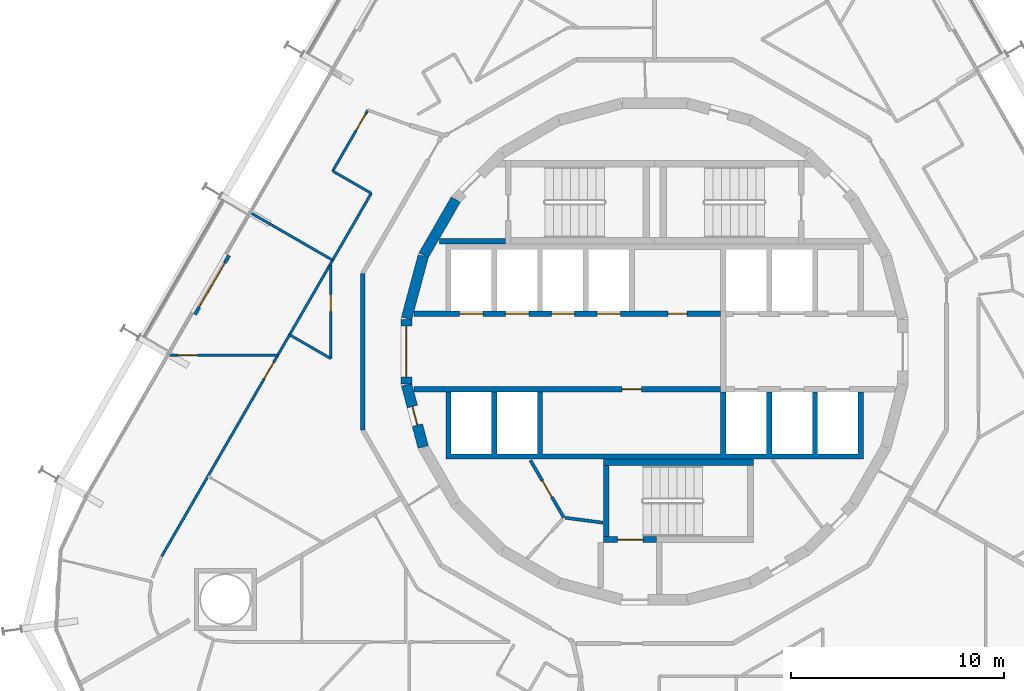
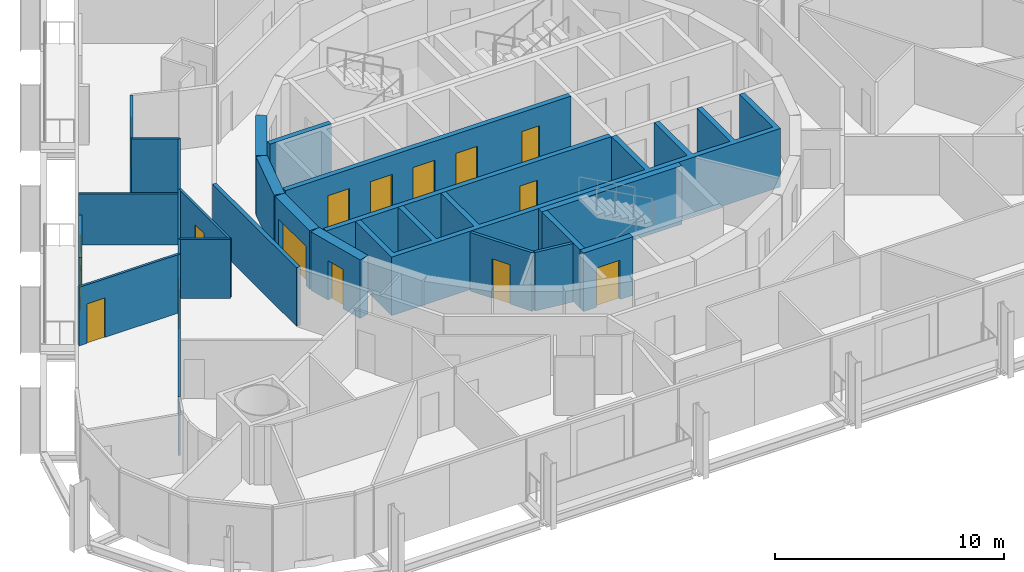
# One storey, part 14 of 20: 23 walls, 15 doors, 15 openings.
"""IFC4 building model written with IfcOpenShell, lengths in metres."""

from ifc_helpers import new_model, si_unit, direction, frame, frame_2d, origin, place, context, subcontext, project, spatial, polyline, rectangle, outline, extrude, material, layer, layer_set, type_object, element, fill, save


model = new_model("IFC4")

# Units and contexts
model_context = context("Model", 3, precision=1e-05, world=origin(), true_north=direction((0.0, 1.0)))
body_context = subcontext(model_context, "Body", "Model", "MODEL_VIEW")
ifc_project = project(units=[si_unit("LENGTHUNIT", "METRE"), si_unit("AREAUNIT", "SQUARE_METRE"), si_unit("VOLUMEUNIT", "CUBIC_METRE"), si_unit("PLANEANGLEUNIT", "RADIAN"), si_unit("MASSUNIT", "GRAM", prefix="KILO")], contexts=[model_context])

# Site, building, storey
site_placement = place(None, origin())
site = spatial("IfcSite", under=ifc_project, at=site_placement, CompositionType="ELEMENT")
building_placement = place(site_placement, origin())
building = spatial("IfcBuilding", under=site, at=building_placement, Name="Spindle Arch Residences", CompositionType="ELEMENT")
storey_placement = place(building_placement, frame((0.0, 0.0, 59.39990234375)))
storey = spatial("IfcBuildingStorey", under=building, at=storey_placement, Name="L13", CompositionType="ELEMENT", Elevation=59.39990234375)

# Walls
ifc_material_1 = material(Name="Concrete C50/60", Category="concrete")
ifc_layer_1 = layer(ifc_material_1, 0.5)
ifc_layer_set_1 = layer_set([ifc_layer_1], Name="Core outline wall 500")
wall_type_1 = type_object("IfcWallType", Name="Core outline wall 500", PredefinedType="SHEAR", material=ifc_layer_set_1)
for number, where, z_axis, x_axis, name in (
    (1, (-9.32861328125, 7.13671875, 0.0), (0.0, 0.0, 1.0), (-0.500087131594, -0.865975092491, 0.0), "Core outline wall 16"),
    (2, (-10.858154296875, 4.479248046875, 0.0), (0.0, 0.0, 1.0), (-0.258734743916, -0.965948410781, 0.0), "Core outline wall 17"),
):
    element("IfcWall", number, at=place(storey_placement, frame(where, z_axis=z_axis, x_axis=x_axis)), inside=storey, type_object=wall_type_1, Name=name, PredefinedType="SHEAR", context=body_context, shape_type="SweptSolid", body=[
        extrude(rectangle(XDim=3.03271484375, YDim=0.5, at=frame_2d((1.516357421875, 0.0))), origin(), (0.0, 0.0, 1.0), 3.1201171875),
    ])

# Wall, opening, door
wall_1_placement = place(storey_placement, frame((-11.647216796875, 1.516357421875, 0.0), z_axis=(0.0, 0.0, 1.0), x_axis=(0.0, -1.0, 0.0)))
wall_1 = element("IfcWall", 3, at=wall_1_placement, inside=storey, type_object=wall_type_1, Name="Core outline wall 18", PredefinedType="SHEAR", context=body_context, shape_type="SweptSolid", body=[
    extrude(rectangle(XDim=3.03271484375, YDim=0.5, at=frame_2d((1.516357421875, 0.0))), origin(), (0.0, 0.0, 1.0), 3.1201171875),
])
opening_1_placement = place(wall_1_placement, frame((0.31640625, 0.0, 0.0)))
opening_1 = element("IfcOpeningElement", 4, at=opening_1_placement, cuts=wall_1, Name="Opening R1C0-LE01", PredefinedType="OPENING", context=body_context, shape_type="SweptSolid", body=[
    extrude(rectangle(XDim=2.39990234375, YDim=2.10009765625, at=frame_2d((1.199951171875, 1.050048828125))), frame((0.0, 0.260009765625, 0.0), z_axis=(0.0, -1.0, 0.0), x_axis=(1.0, 0.0, 0.0)), (0.0, 0.0, 1.0), 0.52001953125),
])
ifc_material_2 = material(Name="Steel, fire-resisting door", Category="steel")
door_type_1 = type_object("IfcDoorType", Name="Lift lobby entrance door 2400x2100", OperationType="DOUBLE_DOOR_SINGLE_SWING", PredefinedType="DOOR", material=ifc_material_2)
door_1_placement = place(opening_1_placement, origin())
door_1 = element("IfcDoor", 5, at=door_1_placement, inside=storey, type_object=door_type_1, Name="Lift lobby entrance door R1C0-LE01", OperationType="DOUBLE_DOOR_SINGLE_SWING", OverallHeight=2.10009765625, OverallWidth=2.39990234375, PredefinedType="DOOR", context=body_context, shape_type="SweptSolid", body=[
    extrude(rectangle(XDim=2.39990234375, YDim=2.10009765625, at=frame_2d((1.199951171875, 1.050048828125))), frame((0.0, 0.02490234375, 0.0), z_axis=(0.0, -1.0, 0.0), x_axis=(1.0, 0.0, 0.0)), (0.0, 0.0, 1.0), 0.050048828125),
])
fill(opening_1, door_1)

wall_2_placement = place(storey_placement, frame((-11.642822265625, -1.5498046875, 0.0), z_axis=(0.0, 0.0, 1.0), x_axis=(0.258734743916, -0.965948410781, 0.0)))
wall_2 = element("IfcWall", 6, at=wall_2_placement, inside=storey, type_object=wall_type_1, Name="Core outline wall 19", PredefinedType="SHEAR", context=body_context, shape_type="SweptSolid", body=[
    extrude(rectangle(XDim=3.03271484375, YDim=0.5, at=frame_2d((1.516357421875, 0.0))), origin(), (0.0, 0.0, 1.0), 3.1201171875),
])
opening_2_placement = place(wall_2_placement, frame((1.06640625, 0.0, 0.0)))
opening_2 = element("IfcOpeningElement", 7, at=opening_2_placement, cuts=wall_2, Name="Opening R1C0-WD08", PredefinedType="OPENING", context=body_context, shape_type="SweptSolid", body=[
    extrude(rectangle(XDim=0.89990234375, YDim=2.10009765625, at=frame_2d((0.449951171875, 1.050048828125))), frame((0.0, 0.260009765625, 0.0), z_axis=(0.0, -1.0, 0.0), x_axis=(1.0, 0.0, 0.0)), (0.0, 0.0, 1.0), 0.52001953125),
])
ifc_material_3 = material(Name="Steel, fire-resisting door", Category="steel")
door_type_2 = type_object("IfcDoorType", Name="Service room door 900x2100", OperationType="SINGLE_SWING_LEFT", PredefinedType="DOOR", material=ifc_material_3)
door_2_placement = place(opening_2_placement, origin())
door_2 = element("IfcDoor", 8, at=door_2_placement, inside=storey, type_object=door_type_2, Name="Service room door R1C0-WD08", OperationType="SINGLE_SWING_LEFT", OverallHeight=2.10009765625, OverallWidth=0.89990234375, PredefinedType="DOOR", context=body_context, shape_type="SweptSolid", body=[
    extrude(rectangle(XDim=0.89990234375, YDim=2.10009765625, at=frame_2d((0.449951171875, 1.050048828125))), frame((0.0, 0.02490234375, 0.0), z_axis=(0.0, -1.0, 0.0), x_axis=(1.0, 0.0, 0.0)), (0.0, 0.0, 1.0), 0.050048828125),
])
fill(opening_2, door_2)

# Wall
ifc_material_4 = material(Name="Calcium silicate block, plastered")
ifc_layer_2 = layer(ifc_material_4, 0.199951171875)
ifc_layer_set_2 = layer_set([ifc_layer_2], Name="Corridor wall 200")
wall_type_2 = type_object("IfcWallType", Name="Corridor wall 200", PredefinedType="STANDARD", material=ifc_layer_set_2)
wall_3_placement = place(storey_placement, frame((-13.699951171875, 3.6708984375, 0.0), z_axis=(0.0, 0.0, 1.0), x_axis=(0.0, -1.0, 0.0)))
element("IfcWall", 9, at=wall_3_placement, inside=storey, type_object=wall_type_2, Name="Corridor wall R1C0-W011", PredefinedType="STANDARD", context=body_context, shape_type="SweptSolid", body=[
    extrude(rectangle(XDim=7.341796875, YDim=0.199951171875, at=frame_2d((3.6708984375, 0.0))), origin(), (0.0, 0.0, 1.0), 3.1201171875),
])

# Wall, opening, door
ifc_material_5 = material(Name="Plasterboard on steel studs", Category="steel")
ifc_layer_3 = layer(ifc_material_5, 0.1201171875)
ifc_layer_set_3 = layer_set([ifc_layer_3], Name="Flat partition 120")
wall_type_3 = type_object("IfcWallType", Name="Flat partition 120", PredefinedType="PARTITIONING", material=ifc_layer_set_3)
wall_4_placement = place(storey_placement, frame((-13.45654296875, 11.33154296875, 0.0), z_axis=(0.0, 0.0, 1.0), x_axis=(-0.499974350878, -0.866040211805, 0.0)))
wall_4 = element("IfcWall", 10, at=wall_4_placement, inside=storey, type_object=wall_type_3, Name="Flat partition R1C0-W064", PredefinedType="PARTITIONING", context=body_context, shape_type="SweptSolid", body=[
    extrude(rectangle(XDim=3.300048828125, YDim=0.1201171875, at=frame_2d((1.64990234375, 0.0))), origin(), (0.0, 0.0, 1.0), 3.1201171875),
])
opening_3_placement = place(wall_4_placement, frame((0.199951171875, 0.0, 0.0)))
opening_3 = element("IfcOpeningElement", 11, at=opening_3_placement, cuts=wall_4, Name="Opening R1C0-ID12", PredefinedType="OPENING", context=body_context, shape_type="SweptSolid", body=[
    extrude(rectangle(XDim=0.89990234375, YDim=2.10009765625, at=frame_2d((0.449951171875, 1.050048828125))), frame((0.0, 0.070068359375, 0.0), z_axis=(0.0, -1.0, 0.0), x_axis=(1.0, 0.0, 0.0)), (0.0, 0.0, 1.0), 0.14013671875),
])
ifc_material_6 = material(Name="Timber door set", Category="wood")
door_type_3 = type_object("IfcDoorType", Name="Room door 900x2100", OperationType="NOTDEFINED", PredefinedType="DOOR", material=ifc_material_6)
door_3_placement = place(opening_3_placement, origin())
door_3 = element("IfcDoor", 12, at=door_3_placement, inside=storey, type_object=door_type_3, Name="Room door R1C0-ID12", OperationType="SINGLE_SWING_LEFT", OverallHeight=2.10009765625, OverallWidth=0.89990234375, PredefinedType="DOOR", context=body_context, shape_type="SweptSolid", body=[
    extrude(rectangle(XDim=0.89990234375, YDim=2.10009765625, at=frame_2d((0.449951171875, 1.050048828125))), frame((0.0, 0.02490234375, 0.0), z_axis=(0.0, -1.0, 0.0), x_axis=(1.0, 0.0, 0.0)), (0.0, 0.0, 1.0), 0.050048828125),
])
fill(opening_3, door_3)

# Walls
wall_5_placement = place(storey_placement, frame((-15.1064453125, 8.4736328125, 0.0), z_axis=(0.0, 0.0, 1.0), x_axis=(0.866041603473, -0.499971940267, 0.0)))
element("IfcWall", 13, at=wall_5_placement, inside=storey, type_object=wall_type_3, Name="Flat partition R1C0-W065", PredefinedType="PARTITIONING", context=body_context, shape_type="SweptSolid", body=[
    extrude(rectangle(XDim=2.08935546875, YDim=0.1201171875, at=frame_2d((1.044677734375, 0.0))), origin(), (0.0, 0.0, 1.0), 3.1201171875),
])
wall_6_placement = place(storey_placement, frame((-13.296875, 7.428955078125, 0.0), z_axis=(0.0, 0.0, 1.0), x_axis=(-0.49999903102, -0.866025963225, 0.0)))
element("IfcWall", 14, at=wall_6_placement, inside=storey, type_object=wall_type_3, Name="Flat partition R1C0-W066", PredefinedType="PARTITIONING", context=body_context, shape_type="SweptSolid", body=[
    extrude(rectangle(XDim=7.66650390625, YDim=0.1201171875, at=frame_2d((3.833251953125, 0.0))), origin(), (0.0, 0.0, 1.0), 3.1201171875),
])

# Wall, opening, door
wall_7_placement = place(storey_placement, frame((-17.130126953125, 0.78955078125, 0.0), z_axis=(0.0, 0.0, 1.0), x_axis=(-0.499997052475, -0.866027105532, 0.0)))
wall_7 = element("IfcWall", 15, at=wall_7_placement, inside=storey, type_object=wall_type_3, Name="Flat partition R1C0-W067", PredefinedType="PARTITIONING", context=body_context, shape_type="SweptSolid", body=[
    extrude(rectangle(XDim=12.005859375, YDim=0.1201171875, at=frame_2d((6.0029296875, 0.0))), origin(), (0.0, 0.0, 1.0), 3.1201171875),
])
opening_4_placement = place(wall_7_placement, frame((1.498291015625, 0.0, 0.0)))
opening_4 = element("IfcOpeningElement", 16, at=opening_4_placement, cuts=wall_7, Name="Opening R1C0-ID13", PredefinedType="OPENING", context=body_context, shape_type="SweptSolid", body=[
    extrude(rectangle(XDim=0.89990234375, YDim=2.10009765625, at=frame_2d((0.449951171875, 1.050048828125))), frame((0.0, 0.070068359375, 0.0), z_axis=(0.0, -1.0, 0.0), x_axis=(1.0, 0.0, 0.0)), (0.0, 0.0, 1.0), 0.14013671875),
])
door_4_placement = place(opening_4_placement, origin())
door_4 = element("IfcDoor", 17, at=door_4_placement, inside=storey, type_object=door_type_3, Name="Room door R1C0-ID13", OperationType="SINGLE_SWING_RIGHT", OverallHeight=2.10009765625, OverallWidth=0.89990234375, PredefinedType="DOOR", context=body_context, shape_type="SweptSolid", body=[
    extrude(rectangle(XDim=0.89990234375, YDim=2.10009765625, at=frame_2d((0.449951171875, 1.050048828125))), frame((0.0, 0.02490234375, 0.0), z_axis=(0.0, -1.0, 0.0), x_axis=(1.0, 0.0, 0.0)), (0.0, 0.0, 1.0), 0.050048828125),
])
fill(opening_4, door_4)

wall_8_placement = place(storey_placement, frame((-15.199951171875, 4.07275390625, 0.0), z_axis=(0.0, 0.0, 1.0), x_axis=(0.0, -1.0, 0.0)))
wall_8 = element("IfcWall", 18, at=wall_8_placement, inside=storey, type_object=wall_type_3, Name="Flat partition R1C0-W068", PredefinedType="PARTITIONING", context=body_context, shape_type="SweptSolid", body=[
    extrude(rectangle(XDim=4.397705078125, YDim=0.1201171875, at=frame_2d((2.19873046875, 0.0))), origin(), (0.0, 0.0, 1.0), 3.1201171875),
])
opening_5_placement = place(wall_8_placement, frame((1.39990234375, 0.0, 0.0)))
opening_5 = element("IfcOpeningElement", 19, at=opening_5_placement, cuts=wall_8, Name="Opening R1C0-BD04", PredefinedType="OPENING", context=body_context, shape_type="SweptSolid", body=[
    extrude(rectangle(XDim=0.800048828125, YDim=2.10009765625, at=frame_2d((0.39990234375, 1.050048828125))), frame((0.0, 0.070068359375, 0.0), z_axis=(0.0, -1.0, 0.0), x_axis=(1.0, 0.0, 0.0)), (0.0, 0.0, 1.0), 0.14013671875),
])
ifc_material_7 = material(Name="Timber door set", Category="wood")
door_type_4 = type_object("IfcDoorType", Name="Bathroom door 800x2100", OperationType="NOTDEFINED", PredefinedType="DOOR", material=ifc_material_7)
door_5_placement = place(opening_5_placement, origin())
door_5 = element("IfcDoor", 20, at=door_5_placement, inside=storey, type_object=door_type_4, Name="Bathroom door R1C0-BD04", OperationType="SINGLE_SWING_RIGHT", OverallHeight=2.10009765625, OverallWidth=0.800048828125, PredefinedType="DOOR", context=body_context, shape_type="SweptSolid", body=[
    extrude(rectangle(XDim=0.800048828125, YDim=2.10009765625, at=frame_2d((0.39990234375, 1.050048828125))), frame((0.0, 0.02490234375, 0.0), z_axis=(0.0, -1.0, 0.0), x_axis=(1.0, 0.0, 0.0)), (0.0, 0.0, 1.0), 0.050048828125),
])
fill(opening_5, door_5)

# Wall
wall_9_placement = place(storey_placement, frame((-15.199951171875, -0.324951171875, 0.0), z_axis=(0.0, 0.0, 1.0), x_axis=(-0.866003168561, 0.500038510559, 0.0)))
element("IfcWall", 21, at=wall_9_placement, inside=storey, type_object=wall_type_3, Name="Flat partition R1C0-W069", PredefinedType="PARTITIONING", context=body_context, shape_type="SweptSolid", body=[
    extrude(rectangle(XDim=2.228759765625, YDim=0.1201171875, at=frame_2d((1.1142578125, 0.0))), origin(), (0.0, 0.0, 1.0), 3.1201171875),
])

# Wall, opening, door
wall_10_placement = place(storey_placement, frame((-22.760009765625, -0.161865234375, 0.0), z_axis=(0.0, 0.0, 1.0), x_axis=(1.0, 0.0, 0.0)))
wall_10 = element("IfcWall", 22, at=wall_10_placement, inside=storey, type_object=wall_type_3, Name="Flat partition R1C0-W072", PredefinedType="PARTITIONING", context=body_context, shape_type="SweptSolid", body=[
    extrude(rectangle(XDim=5.08056640625, YDim=0.1201171875, at=frame_2d((2.540283203125, 0.0))), origin(), (0.0, 0.0, 1.0), 3.1201171875),
])
opening_6_placement = place(wall_10_placement, frame((0.39990234375, 0.0, 0.0)))
opening_6 = element("IfcOpeningElement", 23, at=opening_6_placement, cuts=wall_10, Name="Opening R1C0-ID15", PredefinedType="OPENING", context=body_context, shape_type="SweptSolid", body=[
    extrude(rectangle(XDim=0.89990234375, YDim=2.10009765625, at=frame_2d((0.449951171875, 1.050048828125))), frame((0.0, 0.070068359375, 0.0), z_axis=(0.0, -1.0, 0.0), x_axis=(1.0, 0.0, 0.0)), (0.0, 0.0, 1.0), 0.14013671875),
])
door_6_placement = place(opening_6_placement, origin())
door_6 = element("IfcDoor", 24, at=door_6_placement, inside=storey, type_object=door_type_3, Name="Room door R1C0-ID15", OperationType="SINGLE_SWING_LEFT", OverallHeight=2.10009765625, OverallWidth=0.89990234375, PredefinedType="DOOR", context=body_context, shape_type="SweptSolid", body=[
    extrude(rectangle(XDim=0.89990234375, YDim=2.10009765625, at=frame_2d((0.449951171875, 1.050048828125))), frame((0.0, 0.02490234375, 0.0), z_axis=(0.0, -1.0, 0.0), x_axis=(1.0, 0.0, 0.0)), (0.0, 0.0, 1.0), 0.050048828125),
])
fill(opening_6, door_6)

# Wall
ifc_material_8 = material(Name="Plasterboard on steel studs", Category="steel")
ifc_layer_4 = layer(ifc_material_8, 0.1201171875)
ifc_layer_set_4 = layer_set([ifc_layer_4], Name="Flat partition 120 under beam 2730")
wall_type_4 = type_object("IfcWallType", Name="Flat partition 120 under beam 2730", PredefinedType="PARTITIONING", material=ifc_layer_set_4)
wall_11_placement = place(storey_placement, frame((-18.919921875, 6.489501953125, 0.0), z_axis=(0.0, 0.0, 1.0), x_axis=(0.865994303029, -0.500053864221, 0.0)))
element("IfcWall", 25, at=wall_11_placement, inside=storey, type_object=wall_type_4, Name="Flat partition R1C0-W071", PredefinedType="PARTITIONING", context=body_context, shape_type="SweptSolid", body=[
    extrude(rectangle(XDim=4.39990234375, YDim=0.1201171875, at=frame_2d((2.199951171875, 0.0))), origin(), (0.0, 0.0, 1.0), 2.72998046875),
])

# Wall, opening, door
ifc_material_9 = material(Name="Non-combustible mineral wool insulated aluminium faced external wall (K0)", Category="aluminium")
ifc_layer_5 = layer(ifc_material_9, 0.159912109375)
ifc_layer_set_5 = layer_set([ifc_layer_5], Name="Insulated external wall panel 160")
wall_type_5 = type_object("IfcWallType", Name="Insulated external wall panel 160", PredefinedType="STANDARD", material=ifc_layer_set_5)
wall_12_placement = place(storey_placement, frame((-19.970703125, 4.509521484375, 0.0), z_axis=(0.0, 0.0, 1.0), x_axis=(-0.500028443584, -0.866008981251, 0.0)))
wall_12 = element("IfcWall", 26, at=wall_12_placement, inside=storey, type_object=wall_type_5, Name="External wall L13 bay 17", PredefinedType="STANDARD", context=body_context, shape_type="SweptSolid", body=[
    extrude(rectangle(XDim=3.199951171875, YDim=0.159912109375, at=frame_2d((1.60009765625, 0.0))), origin(), (0.0, 0.0, 1.0), 3.1201171875),
])
opening_7_placement = place(wall_12_placement, frame((0.39990234375, 0.0, 0.0)))
opening_7 = element("IfcOpeningElement", 27, at=opening_7_placement, cuts=wall_12, Name="Opening BD17", PredefinedType="OPENING", context=body_context, shape_type="SweptSolid", body=[
    extrude(rectangle(XDim=2.39990234375, YDim=2.39990234375, at=frame_2d((1.199951171875, 1.199951171875))), frame((0.0, 0.08984375, 0.0), z_axis=(0.0, -1.0, 0.0), x_axis=(1.0, 0.0, 0.0)), (0.0, 0.0, 1.0), 0.179931640625),
])
ifc_material_10 = material(Name="Bronze aluminium frame, tinted double glazing", Category="aluminium")
door_type_5 = type_object("IfcDoorType", Name="Sliding glazed balcony door 2400x2400", OperationType="DOUBLE_DOOR_SLIDING", PredefinedType="DOOR", material=ifc_material_10)
door_7_placement = place(opening_7_placement, origin())
door_7 = element("IfcDoor", 28, at=door_7_placement, inside=storey, type_object=door_type_5, Name="Balcony door BD17", OperationType="DOUBLE_DOOR_SLIDING", OverallHeight=2.39990234375, OverallWidth=2.39990234375, PredefinedType="DOOR", context=body_context, shape_type="SweptSolid", body=[
    extrude(rectangle(XDim=2.39990234375, YDim=2.39990234375, at=frame_2d((1.199951171875, 1.199951171875))), frame((0.0, 0.02490234375, 0.0), z_axis=(0.0, -1.0, 0.0), x_axis=(1.0, 0.0, 0.0)), (0.0, 0.0, 1.0), 0.050048828125),
])
fill(opening_7, door_7)

# Wall, openings, doors
ifc_material_11 = material(Name="Concrete C50/60", Category="concrete")
ifc_layer_6 = layer(ifc_material_11, 0.25)
ifc_layer_set_6 = layer_set([ifc_layer_6], Name="Lift shaft wall 250")
wall_type_6 = type_object("IfcWallType", Name="Lift shaft wall 250", PredefinedType="SHEAR", material=ifc_layer_set_6)
wall_13_placement = place(storey_placement, frame((-11.280029296875, 1.77490234375, 0.0), z_axis=(0.0, 0.0, 1.0), x_axis=(1.0, 0.0, 0.0)))
wall_13 = element("IfcWall", 29, at=wall_13_placement, inside=storey, type_object=wall_type_6, Name="Lift shaft front wall NW", PredefinedType="SHEAR", context=body_context, shape_type="SweptSolid", body=[
    extrude(rectangle(XDim=14.380126953125, YDim=0.25, at=frame_2d((7.18994140625, 0.0))), origin(), (0.0, 0.0, 1.0), 3.1201171875),
])
opening_8_placement = place(wall_13_placement, frame((2.1298828125, 0.0, 0.0)))
opening_8 = element("IfcOpeningElement", 30, at=opening_8_placement, cuts=wall_13, Name="Opening R1C0-LD01", PredefinedType="OPENING", context=body_context, shape_type="SweptSolid", body=[
    extrude(rectangle(XDim=1.10009765625, YDim=2.10009765625, at=frame_2d((0.550048828125, 1.050048828125))), frame((0.0, 0.135009765625, 0.0), z_axis=(0.0, -1.0, 0.0), x_axis=(1.0, 0.0, 0.0)), (0.0, 0.0, 1.0), 0.27001953125),
])
opening_9_placement = place(wall_13_placement, frame((4.280029296875, 0.0, 0.0)))
opening_9 = element("IfcOpeningElement", 31, at=opening_9_placement, cuts=wall_13, Name="Opening R1C0-LD02", PredefinedType="OPENING", context=body_context, shape_type="SweptSolid", body=[
    extrude(rectangle(XDim=1.10009765625, YDim=2.10009765625, at=frame_2d((0.550048828125, 1.050048828125))), frame((0.0, 0.135009765625, 0.0), z_axis=(0.0, -1.0, 0.0), x_axis=(1.0, 0.0, 0.0)), (0.0, 0.0, 1.0), 0.27001953125),
])
opening_10_placement = place(wall_13_placement, frame((6.429931640625, 0.0, 0.0)))
opening_10 = element("IfcOpeningElement", 32, at=opening_10_placement, cuts=wall_13, Name="Opening R1C0-LD03", PredefinedType="OPENING", context=body_context, shape_type="SweptSolid", body=[
    extrude(rectangle(XDim=1.10009765625, YDim=2.10009765625, at=frame_2d((0.550048828125, 1.050048828125))), frame((0.0, 0.135009765625, 0.0), z_axis=(0.0, -1.0, 0.0), x_axis=(1.0, 0.0, 0.0)), (0.0, 0.0, 1.0), 0.27001953125),
])
opening_11_placement = place(wall_13_placement, frame((8.580078125, 0.0, 0.0)))
opening_11 = element("IfcOpeningElement", 33, at=opening_11_placement, cuts=wall_13, Name="Opening R1C0-LD04", PredefinedType="OPENING", context=body_context, shape_type="SweptSolid", body=[
    extrude(rectangle(XDim=1.10009765625, YDim=2.10009765625, at=frame_2d((0.550048828125, 1.050048828125))), frame((0.0, 0.135009765625, 0.0), z_axis=(0.0, -1.0, 0.0), x_axis=(1.0, 0.0, 0.0)), (0.0, 0.0, 1.0), 0.27001953125),
])
opening_12_placement = place(wall_13_placement, frame((11.905029296875, 0.0, 0.0)))
opening_12 = element("IfcOpeningElement", 34, at=opening_12_placement, cuts=wall_13, Name="Opening R1C0-WD01", PredefinedType="OPENING", context=body_context, shape_type="SweptSolid", body=[
    extrude(rectangle(XDim=0.89990234375, YDim=2.10009765625, at=frame_2d((0.449951171875, 1.050048828125))), frame((0.0, 0.135009765625, 0.0), z_axis=(0.0, -1.0, 0.0), x_axis=(1.0, 0.0, 0.0)), (0.0, 0.0, 1.0), 0.27001953125),
])
ifc_material_12 = material(Name="Steel, fire-resisting landing door", Category="steel")
door_type_6 = type_object("IfcDoorType", Name="Lift landing door 1100x2100", OperationType="DOUBLE_DOOR_SLIDING", PredefinedType="DOOR", material=ifc_material_12)
door_8_placement = place(opening_8_placement, origin())
door_8 = element("IfcDoor", 35, at=door_8_placement, inside=storey, type_object=door_type_6, Name="Lift landing door R1C0-LD01", OperationType="DOUBLE_DOOR_SLIDING", OverallHeight=2.10009765625, OverallWidth=1.10009765625, PredefinedType="DOOR", context=body_context, shape_type="SweptSolid", body=[
    extrude(rectangle(XDim=1.10009765625, YDim=2.10009765625, at=frame_2d((0.550048828125, 1.050048828125))), frame((0.0, 0.02490234375, 0.0), z_axis=(0.0, -1.0, 0.0), x_axis=(1.0, 0.0, 0.0)), (0.0, 0.0, 1.0), 0.050048828125),
])
fill(opening_8, door_8)
door_9_placement = place(opening_9_placement, origin())
door_9 = element("IfcDoor", 36, at=door_9_placement, inside=storey, type_object=door_type_6, Name="Lift landing door R1C0-LD02", OperationType="DOUBLE_DOOR_SLIDING", OverallHeight=2.10009765625, OverallWidth=1.10009765625, PredefinedType="DOOR", context=body_context, shape_type="SweptSolid", body=[
    extrude(rectangle(XDim=1.10009765625, YDim=2.10009765625, at=frame_2d((0.550048828125, 1.050048828125))), frame((0.0, 0.02490234375, 0.0), z_axis=(0.0, -1.0, 0.0), x_axis=(1.0, 0.0, 0.0)), (0.0, 0.0, 1.0), 0.050048828125),
])
fill(opening_9, door_9)
door_10_placement = place(opening_10_placement, origin())
door_10 = element("IfcDoor", 37, at=door_10_placement, inside=storey, type_object=door_type_6, Name="Lift landing door R1C0-LD03", OperationType="DOUBLE_DOOR_SLIDING", OverallHeight=2.10009765625, OverallWidth=1.10009765625, PredefinedType="DOOR", context=body_context, shape_type="SweptSolid", body=[
    extrude(rectangle(XDim=1.10009765625, YDim=2.10009765625, at=frame_2d((0.550048828125, 1.050048828125))), frame((0.0, 0.02490234375, 0.0), z_axis=(0.0, -1.0, 0.0), x_axis=(1.0, 0.0, 0.0)), (0.0, 0.0, 1.0), 0.050048828125),
])
fill(opening_10, door_10)
door_11_placement = place(opening_11_placement, origin())
door_11 = element("IfcDoor", 38, at=door_11_placement, inside=storey, type_object=door_type_6, Name="Lift landing door R1C0-LD04", OperationType="DOUBLE_DOOR_SLIDING", OverallHeight=2.10009765625, OverallWidth=1.10009765625, PredefinedType="DOOR", context=body_context, shape_type="SweptSolid", body=[
    extrude(rectangle(XDim=1.10009765625, YDim=2.10009765625, at=frame_2d((0.550048828125, 1.050048828125))), frame((0.0, 0.02490234375, 0.0), z_axis=(0.0, -1.0, 0.0), x_axis=(1.0, 0.0, 0.0)), (0.0, 0.0, 1.0), 0.050048828125),
])
fill(opening_11, door_11)
door_12_placement = place(opening_12_placement, origin())
door_12 = element("IfcDoor", 39, at=door_12_placement, inside=storey, type_object=door_type_2, Name="Service room door R1C0-WD01", OperationType="SINGLE_SWING_RIGHT", OverallHeight=2.10009765625, OverallWidth=0.89990234375, PredefinedType="DOOR", context=body_context, shape_type="SweptSolid", body=[
    extrude(rectangle(XDim=0.89990234375, YDim=2.10009765625, at=frame_2d((0.449951171875, 1.050048828125))), frame((0.0, 0.02490234375, 0.0), z_axis=(0.0, -1.0, 0.0), x_axis=(1.0, 0.0, 0.0)), (0.0, 0.0, 1.0), 0.050048828125),
])
fill(opening_12, door_12)

# Wall, opening, door
wall_14_placement = place(storey_placement, frame((-11.280029296875, -1.77490234375, 0.0), z_axis=(0.0, 0.0, 1.0), x_axis=(1.0, 0.0, 0.0)))
wall_14 = element("IfcWall", 40, at=wall_14_placement, inside=storey, type_object=wall_type_6, Name="Lift shaft front wall SW", PredefinedType="SHEAR", context=body_context, shape_type="SweptSolid", body=[
    extrude(rectangle(XDim=14.380126953125, YDim=0.25, at=frame_2d((7.18994140625, 0.0))), origin(), (0.0, 0.0, 1.0), 3.1201171875),
])
opening_13_placement = place(wall_14_placement, frame((9.7548828125, 0.0, 0.0)))
opening_13 = element("IfcOpeningElement", 41, at=opening_13_placement, cuts=wall_14, Name="Opening R1C0-WD03", PredefinedType="OPENING", context=body_context, shape_type="SweptSolid", body=[
    extrude(rectangle(XDim=0.89990234375, YDim=2.10009765625, at=frame_2d((0.449951171875, 1.050048828125))), frame((0.0, 0.135009765625, 0.0), z_axis=(0.0, -1.0, 0.0), x_axis=(1.0, 0.0, 0.0)), (0.0, 0.0, 1.0), 0.27001953125),
])
door_13_placement = place(opening_13_placement, origin())
door_13 = element("IfcDoor", 42, at=door_13_placement, inside=storey, type_object=door_type_2, Name="Service room door R1C0-WD03", OperationType="SINGLE_SWING_RIGHT", OverallHeight=2.10009765625, OverallWidth=0.89990234375, PredefinedType="DOOR", context=body_context, shape_type="SweptSolid", body=[
    extrude(rectangle(XDim=0.89990234375, YDim=2.10009765625, at=frame_2d((0.449951171875, 1.050048828125))), frame((0.0, 0.02490234375, 0.0), z_axis=(0.0, -1.0, 0.0), x_axis=(1.0, 0.0, 0.0)), (0.0, 0.0, 1.0), 0.050048828125),
])
fill(opening_13, door_13)

# Wall
ifc_material_13 = material(Name="Concrete C50/60", Category="concrete")
wall_type_7 = type_object("IfcWallType", Name="Lift shaft wall profile", PredefinedType="SHEAR", material=ifc_material_13)
wall_15_placement = place(storey_placement, origin())
element("IfcWall", 43, at=wall_15_placement, inside=storey, type_object=wall_type_7, Name="Lift shaft walls S", PredefinedType="SHEAR", context=body_context, shape_type="SweptSolid", body=[
    extrude(outline(polyline([(9.800048828125, -5.050048828125), (9.800048828125, -4.800048828125), (9.800048828125, -1.89990234375), (9.550048828125, -1.89990234375), (9.550048828125, -4.800048828125), (7.64990234375, -4.800048828125), (7.64990234375, -1.89990234375), (7.39990234375, -1.89990234375), (7.39990234375, -4.800048828125), (5.5, -4.800048828125), (5.5, -1.89990234375), (5.25, -1.89990234375), (5.25, -4.800048828125), (3.35009765625, -4.800048828125), (3.35009765625, -1.89990234375), (3.10009765625, -1.89990234375), (3.10009765625, -4.800048828125), (-5.25, -4.800048828125), (-5.25, -1.89990234375), (-5.5, -1.89990234375), (-5.5, -4.800048828125), (-7.39990234375, -4.800048828125), (-7.39990234375, -1.89990234375), (-7.64990234375, -1.89990234375), (-7.64990234375, -4.800048828125), (-9.550048828125, -4.800048828125), (-9.550048828125, -1.89990234375), (-9.800048828125, -1.89990234375), (-9.800048828125, -4.800048828125), (-9.800048828125, -5.050048828125), (9.800048828125, -5.050048828125)])), origin(), (0.0, 0.0, 1.0), 3.1201171875),
])

# Wall, opening, door
ifc_material_14 = material(Name="Concrete C25/30", Category="concrete")
ifc_layer_7 = layer(ifc_material_14, 0.14990234375)
ifc_layer_set_7 = layer_set([ifc_layer_7], Name="Service room partition 150")
wall_type_8 = type_object("IfcWallType", Name="Service room partition 150", PredefinedType="PARTITIONING", material=ifc_layer_set_7)
wall_16_placement = place(storey_placement, frame((-5.8291015625, -5.101806640625, 0.0), z_axis=(0.0, 0.0, 1.0), x_axis=(0.504480008384, -0.863423373057, 0.0)))
wall_16 = element("IfcWall", 44, at=wall_16_placement, inside=storey, type_object=wall_type_8, Name="Core service room partition", PredefinedType="PARTITIONING", context=body_context, shape_type="SweptSolid", body=[
    extrude(rectangle(XDim=3.115234375, YDim=0.14990234375, at=frame_2d((1.5576171875, 0.0))), origin(), (0.0, 0.0, 1.0), 3.1201171875),
])
opening_14_placement = place(wall_16_placement, frame((1.107421875, 0.0, 0.0)))
opening_14 = element("IfcOpeningElement", 45, at=opening_14_placement, cuts=wall_16, Name="Opening R1C0-WD05", PredefinedType="OPENING", context=body_context, shape_type="SweptSolid", body=[
    extrude(rectangle(XDim=0.89990234375, YDim=2.10009765625, at=frame_2d((0.449951171875, 1.050048828125))), frame((0.0, 0.0849609375, 0.0), z_axis=(0.0, -1.0, 0.0), x_axis=(1.0, 0.0, 0.0)), (0.0, 0.0, 1.0), 0.169921875),
])
door_14_placement = place(opening_14_placement, origin())
door_14 = element("IfcDoor", 46, at=door_14_placement, inside=storey, type_object=door_type_2, Name="Service room door R1C0-WD05", OperationType="SINGLE_SWING_RIGHT", OverallHeight=2.10009765625, OverallWidth=0.89990234375, PredefinedType="DOOR", context=body_context, shape_type="SweptSolid", body=[
    extrude(rectangle(XDim=0.89990234375, YDim=2.10009765625, at=frame_2d((0.449951171875, 1.050048828125))), frame((0.0, 0.02490234375, 0.0), z_axis=(0.0, -1.0, 0.0), x_axis=(1.0, 0.0, 0.0)), (0.0, 0.0, 1.0), 0.050048828125),
])
fill(opening_14, door_14)

# Walls
wall_17_placement = place(storey_placement, frame((-4.197998046875, -7.79931640625, 0.0), z_axis=(0.0, 0.0, 1.0), x_axis=(0.991686747293, -0.128675542523, 0.0)))
element("IfcWall", 47, at=wall_17_placement, inside=storey, type_object=wall_type_8, Name="Core service room partition", PredefinedType="PARTITIONING", context=body_context, shape_type="SweptSolid", body=[
    extrude(rectangle(XDim=1.79296875, YDim=0.14990234375, at=frame_2d((0.896484375, 0.0))), origin(), (0.0, 0.0, 1.0), 3.1201171875),
])
ifc_material_15 = material(Name="Concrete C40/50", Category="concrete")
ifc_layer_8 = layer(ifc_material_15, 0.25)
ifc_layer_set_8 = layer_set([ifc_layer_8], Name="Stair airlock wall 250")
wall_type_9 = type_object("IfcWallType", Name="Stair airlock wall 250", PredefinedType="SHEAR", material=ifc_layer_set_8)
wall_18_placement = place(storey_placement, frame((-7.0, 5.175048828125, 0.0), z_axis=(0.0, 0.0, 1.0), x_axis=(-1.0, 0.0, 0.0)))
element("IfcWall", 48, at=wall_18_placement, inside=storey, type_object=wall_type_9, Name="Stair ST-2 airlock wall S", PredefinedType="SHEAR", context=body_context, shape_type="SweptSolid", body=[
    extrude(rectangle(XDim=3.10009765625, YDim=0.25, at=frame_2d((1.550048828125, 0.0))), origin(), (0.0, 0.0, 1.0), 3.1201171875),
])
ifc_material_16 = material(Name="Concrete C50/60", Category="concrete")
ifc_layer_9 = layer(ifc_material_16, 0.25)
ifc_layer_set_9 = layer_set([ifc_layer_9], Name="Stair enclosure wall 250")
wall_type_10 = type_object("IfcWallType", Name="Stair enclosure wall 250", PredefinedType="SHEAR", material=ifc_layer_set_9)
wall_19_placement = place(storey_placement, frame((-2.27490234375, -8.669921875, 0.0), z_axis=(0.0, 0.0, 1.0), x_axis=(0.0, 1.0, 0.0)))
element("IfcWall", 49, at=wall_19_placement, inside=storey, type_object=wall_type_10, Name="Stair ST-3 enclosure wall W", PredefinedType="SHEAR", context=body_context, shape_type="SweptSolid", body=[
    extrude(rectangle(XDim=3.31982421875, YDim=0.25, at=frame_2d((1.659912109375, 0.0))), origin(), (0.0, 0.0, 1.0), 3.1201171875),
])
ifc_material_17 = material(Name="Concrete C50/60", Category="concrete")
ifc_layer_10 = layer(ifc_material_17, 0.300048828125)
ifc_layer_set_10 = layer_set([ifc_layer_10], Name="Stair enclosure wall 300")
wall_type_11 = type_object("IfcWallType", Name="Stair enclosure wall 300", PredefinedType="SHEAR", material=ifc_layer_set_10)
wall_20_placement = place(storey_placement, frame((-2.39990234375, -5.199951171875, 0.0), z_axis=(0.0, 0.0, 1.0), x_axis=(1.0, 0.0, 0.0)))
element("IfcWall", 50, at=wall_20_placement, inside=storey, type_object=wall_type_11, Name="Stair ST-3 enclosure wall N", PredefinedType="SHEAR", context=body_context, shape_type="SweptSolid", body=[
    extrude(rectangle(XDim=7.0498046875, YDim=0.300048828125, at=frame_2d((3.52490234375, 0.0))), origin(), (0.0, 0.0, 1.0), 3.1201171875),
])

# Wall, opening, door
wall_21_placement = place(storey_placement, frame((-2.39990234375, -8.820068359375, 0.0), z_axis=(0.0, 0.0, 1.0), x_axis=(1.0, 0.0, 0.0)))
wall_21 = element("IfcWall", 51, at=wall_21_placement, inside=storey, type_object=wall_type_11, Name="Stair ST-3 door wall", PredefinedType="SHEAR", context=body_context, shape_type="SweptSolid", body=[
    extrude(rectangle(XDim=2.5, YDim=0.300048828125, at=frame_2d((1.25, 0.0))), origin(), (0.0, 0.0, 1.0), 3.1201171875),
])
opening_15_placement = place(wall_21_placement, frame((0.64990234375, 0.0, 0.0)))
opening_15 = element("IfcOpeningElement", 52, at=opening_15_placement, cuts=wall_21, Name="Opening R1C0-SD03", PredefinedType="OPENING", context=body_context, shape_type="SweptSolid", body=[
    extrude(rectangle(XDim=1.199951171875, YDim=2.10009765625, at=frame_2d((0.60009765625, 1.050048828125))), frame((0.0, 0.16015625, 0.0), z_axis=(0.0, -1.0, 0.0), x_axis=(1.0, 0.0, 0.0)), (0.0, 0.0, 1.0), 0.320068359375),
])
ifc_material_18 = material(Name="Steel, fire-resisting door", Category="steel")
door_type_7 = type_object("IfcDoorType", Name="Stair door 1200x2100", OperationType="SINGLE_SWING_RIGHT", PredefinedType="DOOR", material=ifc_material_18)
door_15_placement = place(opening_15_placement, origin())
door_15 = element("IfcDoor", 53, at=door_15_placement, inside=storey, type_object=door_type_7, Name="Stair door R1C0-SD03", OperationType="SINGLE_SWING_LEFT", OverallHeight=2.10009765625, OverallWidth=1.199951171875, PredefinedType="DOOR", context=body_context, shape_type="SweptSolid", body=[
    extrude(rectangle(XDim=1.199951171875, YDim=2.10009765625, at=frame_2d((0.60009765625, 1.050048828125))), frame((0.0, 0.02490234375, 0.0), z_axis=(0.0, -1.0, 0.0), x_axis=(1.0, 0.0, 0.0)), (0.0, 0.0, 1.0), 0.050048828125),
])
fill(opening_15, door_15)

save(model, "model.ifc")
